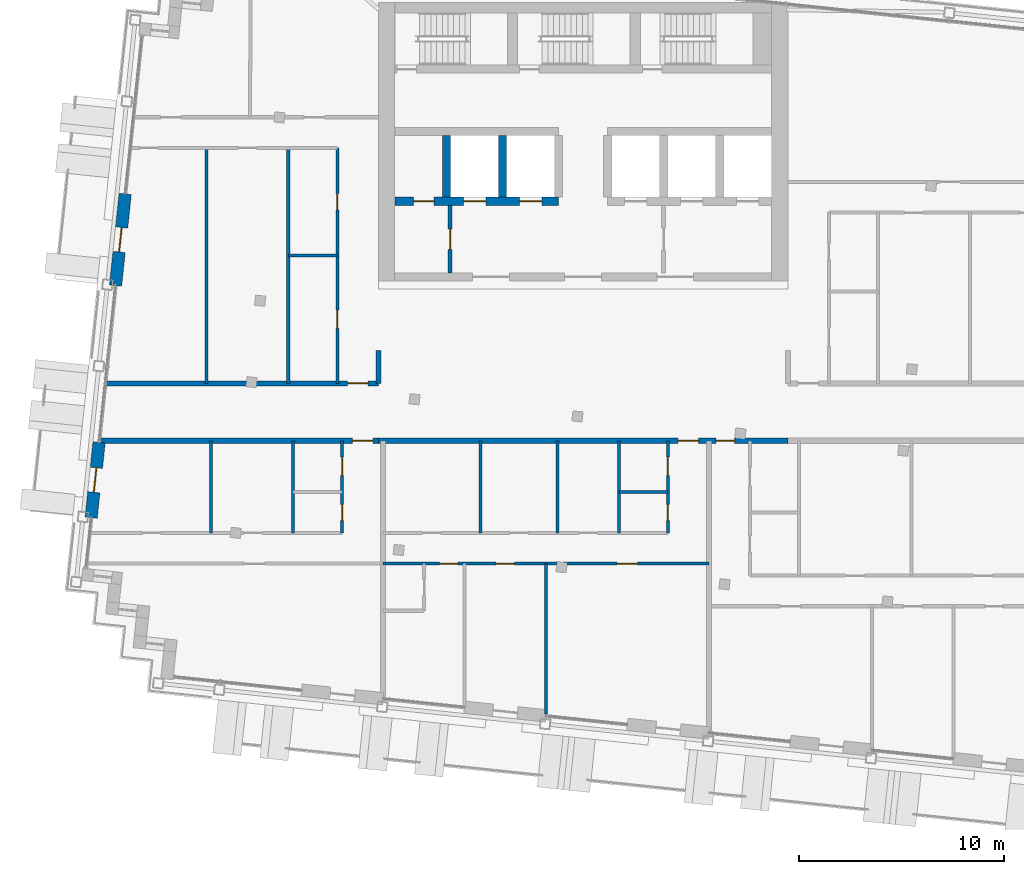
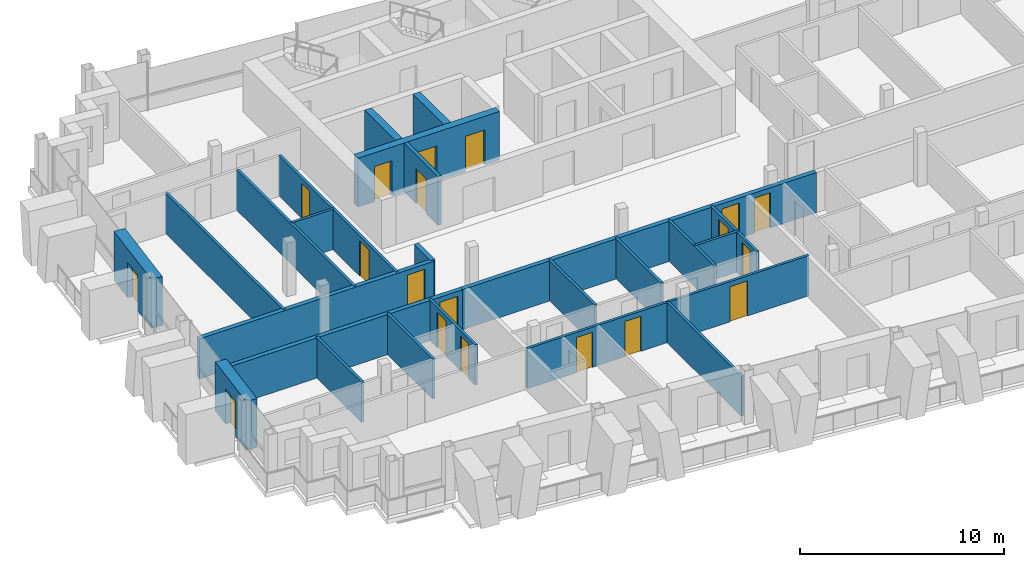
# One storey, part 9 of 16: 24 walls, 19 doors, 19 openings.
"""IFC4 building model written with IfcOpenShell, lengths in metres."""

from ifc_helpers import new_model, si_unit, direction, frame, frame_2d, origin, place, context, subcontext, project, spatial, rectangle, extrude, material, layer, layer_set, type_object, element, fill, save


model = new_model("IFC4")

# Units and contexts
model_context = context("Model", 3, precision=1e-05, world=origin(), true_north=direction((0.0, 1.0)))
body_context = subcontext(model_context, "Body", "Model", "MODEL_VIEW")
ifc_project = project(units=[si_unit("LENGTHUNIT", "METRE"), si_unit("AREAUNIT", "SQUARE_METRE"), si_unit("VOLUMEUNIT", "CUBIC_METRE"), si_unit("PLANEANGLEUNIT", "RADIAN"), si_unit("MASSUNIT", "GRAM", prefix="KILO")], contexts=[model_context])

# Site, building, storey
site_placement = place(None, origin())
site = spatial("IfcSite", under=ifc_project, at=site_placement, CompositionType="ELEMENT")
building_placement = place(site_placement, origin())
building = spatial("IfcBuilding", under=site, at=building_placement, Name="Vidyagriha Tower", CompositionType="ELEMENT")
storey_placement = place(building_placement, frame((0.0, 0.0, 272.300048828125)))
storey = spatial("IfcBuildingStorey", under=building, at=storey_placement, Name="L71", CompositionType="ELEMENT", Elevation=272.300048828125)

# Wall, opening, door
ifc_material_1 = material(Name="Precast concrete C40/50 with brick facing", Category="concrete")
ifc_layer_1 = layer(ifc_material_1, 0.60009765625)
ifc_layer_set_1 = layer_set([ifc_layer_1], Name="Precast concrete C40/50 with brick facing")
wall_type_1 = type_object("IfcWallType", Name="Brick-faced precast wall 600", PredefinedType="STANDARD", material=ifc_layer_set_1)
wall_1_placement = place(storey_placement, frame((-22.36279296875, 10.65673828125, 0.0), z_axis=(0.0, 0.0, 1.0), x_axis=(-0.104492739125, -0.994525649478, 0.0)))
wall_1 = element("IfcWall", 1, at=wall_1_placement, inside=storey, type_object=wall_type_1, Name="Brick door bay wall L71 R14.3", PredefinedType="STANDARD", context=body_context, shape_type="SweptSolid", body=[
    extrude(rectangle(XDim=4.5, YDim=0.60009765625, at=frame_2d((2.25, 0.0))), origin(), (0.0, 0.0, 1.0), 2.919921875),
])
opening_1_placement = place(wall_1_placement, frame((1.64990234375, 0.0, 0.0)))
opening_1 = element("IfcOpeningElement", 2, at=opening_1_placement, cuts=wall_1, Name="Opening D71-52", PredefinedType="OPENING", context=body_context, shape_type="SweptSolid", body=[
    extrude(rectangle(XDim=1.199951171875, YDim=2.10009765625, at=frame_2d((0.60009765625, 1.050048828125))), frame((0.0, 0.31005859375, 0.0), z_axis=(0.0, -1.0, 0.0), x_axis=(1.0, 0.0, 0.0)), (0.0, 0.0, 1.0), 0.6201171875),
])
ifc_material_2 = material(Name="Aluminium framed glazed sliding door", Category="aluminium")
door_type_1 = type_object("IfcDoorType", Name="Balcony sliding door 1200x2100", OperationType="NOTDEFINED", PredefinedType="DOOR", material=ifc_material_2)
door_1_placement = place(opening_1_placement, origin())
door_1 = element("IfcDoor", 3, at=door_1_placement, inside=storey, type_object=door_type_1, Name="Door D71-52", OperationType="SLIDING_TO_LEFT", OverallHeight=2.10009765625, OverallWidth=1.199951171875, PredefinedType="DOOR", context=body_context, shape_type="SweptSolid", body=[
    extrude(rectangle(XDim=1.199951171875, YDim=2.10009765625, at=frame_2d((0.60009765625, 1.050048828125))), frame((0.0, 0.02490234375, 0.0), z_axis=(0.0, -1.0, 0.0), x_axis=(1.0, 0.0, 0.0)), (0.0, 0.0, 1.0), 0.050048828125),
])
fill(opening_1, door_1)

wall_2_placement = place(storey_placement, frame((-23.637939453125, -1.476318359375, 0.0), z_axis=(0.0, 0.0, 1.0), x_axis=(-0.104513052986, -0.994523514933, 0.0)))
wall_2 = element("IfcWall", 4, at=wall_2_placement, inside=storey, type_object=wall_type_1, Name="Brick door bay wall L71 R14.6", PredefinedType="STANDARD", context=body_context, shape_type="SweptSolid", body=[
    extrude(rectangle(XDim=3.7001953125, YDim=0.60009765625, at=frame_2d((1.85009765625, 0.0))), origin(), (0.0, 0.0, 1.0), 2.919921875),
])
opening_2_placement = place(wall_2_placement, frame((1.25, 0.0, 0.0)))
opening_2 = element("IfcOpeningElement", 5, at=opening_2_placement, cuts=wall_2, Name="Opening D71-53", PredefinedType="OPENING", context=body_context, shape_type="SweptSolid", body=[
    extrude(rectangle(XDim=1.199951171875, YDim=2.10009765625, at=frame_2d((0.60009765625, 1.050048828125))), frame((0.0, 0.31005859375, 0.0), z_axis=(0.0, -1.0, 0.0), x_axis=(1.0, 0.0, 0.0)), (0.0, 0.0, 1.0), 0.6201171875),
])
door_2_placement = place(opening_2_placement, origin())
door_2 = element("IfcDoor", 6, at=door_2_placement, inside=storey, type_object=door_type_1, Name="Door D71-53", OperationType="SLIDING_TO_LEFT", OverallHeight=2.10009765625, OverallWidth=1.199951171875, PredefinedType="DOOR", context=body_context, shape_type="SweptSolid", body=[
    extrude(rectangle(XDim=1.199951171875, YDim=2.10009765625, at=frame_2d((0.60009765625, 1.050048828125))), frame((0.0, 0.02490234375, 0.0), z_axis=(0.0, -1.0, 0.0), x_axis=(1.0, 0.0, 0.0)), (0.0, 0.0, 1.0), 0.050048828125),
])
fill(opening_2, door_2)

# Wall, openings, doors
ifc_material_3 = material(Name="Concrete C60/75", Category="concrete")
ifc_layer_2 = layer(ifc_material_3, 0.39990234375)
ifc_layer_set_2 = layer_set([ifc_layer_2], Name="Concrete C60/75")
wall_type_2 = type_object("IfcWallType", Name="Core shear wall 400 mm", PredefinedType="SHEAR", material=ifc_layer_set_2)
wall_3_placement = place(storey_placement, frame((-9.199951171875, 10.300048828125, 0.0)))
wall_3 = element("IfcWall", 7, at=wall_3_placement, inside=storey, type_object=wall_type_2, Name="Core row N front wall", PredefinedType="SHEAR", context=body_context, shape_type="SweptSolid", body=[
    extrude(rectangle(XDim=8.0, YDim=0.39990234375, at=frame_2d((4.0, 0.0))), origin(), (0.0, 0.0, 1.0), 2.919921875),
])
opening_3_placement = place(wall_3_placement, frame((3.35009765625, 0.0, 0.0)))
opening_3 = element("IfcOpeningElement", 8, at=opening_3_placement, cuts=wall_3, Name="Opening LD71-01", PredefinedType="OPENING", context=body_context, shape_type="SweptSolid", body=[
    extrude(rectangle(XDim=1.10009765625, YDim=2.10009765625, at=frame_2d((0.550048828125, 1.050048828125))), frame((0.0, 0.2099609375, 0.0), z_axis=(0.0, -1.0, 0.0), x_axis=(1.0, 0.0, 0.0)), (0.0, 0.0, 1.0), 0.419921875),
])
opening_4_placement = place(wall_3_placement, frame((6.083251953125, 0.0, 0.0)))
opening_4 = element("IfcOpeningElement", 9, at=opening_4_placement, cuts=wall_3, Name="Opening LD71-02", PredefinedType="OPENING", context=body_context, shape_type="SweptSolid", body=[
    extrude(rectangle(XDim=1.10009765625, YDim=2.10009765625, at=frame_2d((0.550048828125, 1.050048828125))), frame((0.0, 0.2099609375, 0.0), z_axis=(0.0, -1.0, 0.0), x_axis=(1.0, 0.0, 0.0)), (0.0, 0.0, 1.0), 0.419921875),
])
opening_5_placement = place(wall_3_placement, frame((0.916748046875, 0.0, 0.0)))
opening_5 = element("IfcOpeningElement", 10, at=opening_5_placement, cuts=wall_3, Name="Opening D71-04", PredefinedType="OPENING", context=body_context, shape_type="SweptSolid", body=[
    extrude(rectangle(XDim=1.0, YDim=2.10009765625, at=frame_2d((0.5, 1.050048828125))), frame((0.0, 0.2099609375, 0.0), z_axis=(0.0, -1.0, 0.0), x_axis=(1.0, 0.0, 0.0)), (0.0, 0.0, 1.0), 0.419921875),
])
ifc_material_4 = material(Name="Hollow metal door leaf")
door_type_2 = type_object("IfcDoorType", Name="Core room door 1000 x 2100 mm EI 60", OperationType="NOTDEFINED", PredefinedType="DOOR", material=ifc_material_4)
door_3_placement = place(opening_5_placement, frame((1.0, 0.0, 0.0), z_axis=(0.0, 0.0, 1.0), x_axis=(-1.0, 0.0, 0.0)))
door_3 = element("IfcDoor", 11, at=door_3_placement, inside=storey, type_object=door_type_2, Name="Door Switchgear Room 71.14", OperationType="SINGLE_SWING_RIGHT", OverallHeight=2.10009765625, OverallWidth=1.0, PredefinedType="DOOR", context=body_context, shape_type="SweptSolid", body=[
    extrude(rectangle(XDim=1.0, YDim=2.10009765625, at=frame_2d((0.5, 1.050048828125))), frame((0.0, 0.02490234375, 0.0), z_axis=(0.0, -1.0, 0.0), x_axis=(1.0, 0.0, 0.0)), (0.0, 0.0, 1.0), 0.050048828125),
])
fill(opening_5, door_3)
ifc_material_5 = material(Name="Stainless steel sliding door panel", Category="steel")
door_type_3 = type_object("IfcDoorType", Name="Lift landing door 1100 x 2100 mm EI 90", OperationType="NOTDEFINED", PredefinedType="DOOR", material=ifc_material_5)
door_4_placement = place(opening_3_placement, origin())
door_4 = element("IfcDoor", 12, at=door_4_placement, inside=storey, type_object=door_type_3, Name="Landing door HR1 L71", OperationType="SLIDING_TO_LEFT", OverallHeight=2.10009765625, OverallWidth=1.10009765625, PredefinedType="DOOR", context=body_context, shape_type="SweptSolid", body=[
    extrude(rectangle(XDim=1.10009765625, YDim=2.10009765625, at=frame_2d((0.550048828125, 1.050048828125))), frame((0.0, 0.02490234375, 0.0), z_axis=(0.0, -1.0, 0.0), x_axis=(1.0, 0.0, 0.0)), (0.0, 0.0, 1.0), 0.050048828125),
])
fill(opening_3, door_4)
door_5_placement = place(opening_4_placement, origin())
door_5 = element("IfcDoor", 13, at=door_5_placement, inside=storey, type_object=door_type_3, Name="Landing door HR2 L71", OperationType="SLIDING_TO_LEFT", OverallHeight=2.10009765625, OverallWidth=1.10009765625, PredefinedType="DOOR", context=body_context, shape_type="SweptSolid", body=[
    extrude(rectangle(XDim=1.10009765625, YDim=2.10009765625, at=frame_2d((0.550048828125, 1.050048828125))), frame((0.0, 0.02490234375, 0.0), z_axis=(0.0, -1.0, 0.0), x_axis=(1.0, 0.0, 0.0)), (0.0, 0.0, 1.0), 0.050048828125),
])
fill(opening_4, door_5)

# Walls
for number, where, z_axis, x_axis, name in (
    (14, (-6.666748046875, 10.5, 0.0), (0.0, 0.0, 1.0), (0.0, 1.0, 0.0), "Core bay wall N1"),
    (15, (-3.933349609375, 10.5, 0.0), (0.0, 0.0, 1.0), (0.0, 1.0, 0.0), "Core bay wall N2"),
):
    element("IfcWall", number, at=place(storey_placement, frame(where, z_axis=z_axis, x_axis=x_axis)), inside=storey, type_object=wall_type_2, Name=name, PredefinedType="SHEAR", context=body_context, shape_type="SweptSolid", body=[
        extrude(rectangle(XDim=3.0, YDim=0.39990234375, at=frame_2d((1.5, 0.0))), origin(), (0.0, 0.0, 1.0), 2.919921875),
    ])

# Wall, opening, door
ifc_material_6 = material(Name="Fired clay brick masonry", Category="masonry")
ifc_layer_3 = layer(ifc_material_6, 0.25)
ifc_layer_set_3 = layer_set([ifc_layer_3], Name="Fired clay brick masonry")
wall_type_3 = type_object("IfcWallType", Name="Fired clay brick corridor wall 250", PredefinedType="PARTITIONING", material=ifc_layer_set_3)
wall_4_placement = place(storey_placement, frame((-10.0, -1.39990234375, 0.0), z_axis=(0.0, 0.0, 1.0), x_axis=(-1.0, 0.0, 0.0)))
wall_4 = element("IfcWall", 16, at=wall_4_placement, inside=storey, type_object=wall_type_3, Name="Wall all-L71-w056", PredefinedType="PARTITIONING", context=body_context, shape_type="SweptSolid", body=[
    extrude(rectangle(XDim=13.5595703125, YDim=0.25, at=frame_2d((6.77978515625, 0.0))), origin(), (0.0, 0.0, 1.0), 2.39990234375),
])
opening_6_placement = place(wall_4_placement, frame((0.27001953125, 0.0, 0.0)))
opening_6 = element("IfcOpeningElement", 17, at=opening_6_placement, cuts=wall_4, Name="Opening D71-15", PredefinedType="OPENING", context=body_context, shape_type="SweptSolid", body=[
    extrude(rectangle(XDim=1.0, YDim=2.10009765625, at=frame_2d((0.5, 1.050048828125))), frame((0.0, 0.135009765625, 0.0), z_axis=(0.0, -1.0, 0.0), x_axis=(1.0, 0.0, 0.0)), (0.0, 0.0, 1.0), 0.27001953125),
])
ifc_material_7 = material(Name="Fire-rated timber door leaf EI 60", Category="wood")
door_type_4 = type_object("IfcDoorType", Name="Flat entrance fire door 1000x2100", OperationType="NOTDEFINED", PredefinedType="DOOR", material=ifc_material_7)
door_6_placement = place(opening_6_placement, origin())
door_6 = element("IfcDoor", 18, at=door_6_placement, inside=storey, type_object=door_type_4, Name="Door D71-15", OperationType="SINGLE_SWING_LEFT", OverallHeight=2.10009765625, OverallWidth=1.0, PredefinedType="DOOR", context=body_context, shape_type="SweptSolid", body=[
    extrude(rectangle(XDim=1.0, YDim=2.10009765625, at=frame_2d((0.5, 1.050048828125))), frame((0.0, 0.02490234375, 0.0), z_axis=(0.0, -1.0, 0.0), x_axis=(1.0, 0.0, 0.0)), (0.0, 0.0, 1.0), 0.050048828125),
])
fill(opening_6, door_6)

wall_5_placement = place(storey_placement, frame((-23.26513671875, 1.39990234375, 0.0)))
wall_5 = element("IfcWall", 19, at=wall_5_placement, inside=storey, type_object=wall_type_3, Name="Wall all-L71-w073", PredefinedType="PARTITIONING", context=body_context, shape_type="SweptSolid", body=[
    extrude(rectangle(XDim=13.26513671875, YDim=0.25, at=frame_2d((6.632568359375, 0.0))), origin(), (0.0, 0.0, 1.0), 2.39990234375),
])
opening_7_placement = place(wall_5_placement, frame((11.76513671875, 0.0, 0.0)))
opening_7 = element("IfcOpeningElement", 20, at=opening_7_placement, cuts=wall_5, Name="Opening D71-42", PredefinedType="OPENING", context=body_context, shape_type="SweptSolid", body=[
    extrude(rectangle(XDim=1.0, YDim=2.10009765625, at=frame_2d((0.5, 1.050048828125))), frame((0.0, 0.135009765625, 0.0), z_axis=(0.0, -1.0, 0.0), x_axis=(1.0, 0.0, 0.0)), (0.0, 0.0, 1.0), 0.27001953125),
])
door_7_placement = place(opening_7_placement, origin())
door_7 = element("IfcDoor", 21, at=door_7_placement, inside=storey, type_object=door_type_4, Name="Door D71-42", OperationType="SINGLE_SWING_RIGHT", OverallHeight=2.10009765625, OverallWidth=1.0, PredefinedType="DOOR", context=body_context, shape_type="SweptSolid", body=[
    extrude(rectangle(XDim=1.0, YDim=2.10009765625, at=frame_2d((0.5, 1.050048828125))), frame((0.0, 0.02490234375, 0.0), z_axis=(0.0, -1.0, 0.0), x_axis=(1.0, 0.0, 0.0)), (0.0, 0.0, 1.0), 0.050048828125),
])
fill(opening_7, door_7)

# Wall, openings, doors
wall_6_placement = place(storey_placement, frame((10.0, -1.39990234375, 0.0), z_axis=(0.0, 0.0, 1.0), x_axis=(-1.0, 0.0, 0.0)))
wall_6 = element("IfcWall", 22, at=wall_6_placement, inside=storey, type_object=wall_type_3, Name="Wall all-L71-w094", PredefinedType="PARTITIONING", context=body_context, shape_type="SweptSolid", body=[
    extrude(rectangle(XDim=20.0, YDim=0.25, at=frame_2d((10.0, 0.0))), origin(), (0.0, 0.0, 1.0), 2.39990234375),
])
opening_8_placement = place(wall_6_placement, frame((4.35791015625, 0.0, 0.0)))
opening_8 = element("IfcOpeningElement", 23, at=opening_8_placement, cuts=wall_6, Name="Opening D71-25", PredefinedType="OPENING", context=body_context, shape_type="SweptSolid", body=[
    extrude(rectangle(XDim=1.0, YDim=2.10009765625, at=frame_2d((0.5, 1.050048828125))), frame((0.0, 0.135009765625, 0.0), z_axis=(0.0, -1.0, 0.0), x_axis=(1.0, 0.0, 0.0)), (0.0, 0.0, 1.0), 0.27001953125),
])
opening_9_placement = place(wall_6_placement, frame((2.614013671875, 0.0, 0.0)))
opening_9 = element("IfcOpeningElement", 24, at=opening_9_placement, cuts=wall_6, Name="Opening D71-35", PredefinedType="OPENING", context=body_context, shape_type="SweptSolid", body=[
    extrude(rectangle(XDim=0.89990234375, YDim=2.10009765625, at=frame_2d((0.449951171875, 1.050048828125))), frame((0.0, 0.135009765625, 0.0), z_axis=(0.0, -1.0, 0.0), x_axis=(1.0, 0.0, 0.0)), (0.0, 0.0, 1.0), 0.27001953125),
])
door_8_placement = place(opening_8_placement, origin())
door_8 = element("IfcDoor", 25, at=door_8_placement, inside=storey, type_object=door_type_4, Name="Door D71-25", OperationType="SINGLE_SWING_LEFT", OverallHeight=2.10009765625, OverallWidth=1.0, PredefinedType="DOOR", context=body_context, shape_type="SweptSolid", body=[
    extrude(rectangle(XDim=1.0, YDim=2.10009765625, at=frame_2d((0.5, 1.050048828125))), frame((0.0, 0.02490234375, 0.0), z_axis=(0.0, -1.0, 0.0), x_axis=(1.0, 0.0, 0.0)), (0.0, 0.0, 1.0), 0.050048828125),
])
fill(opening_8, door_8)
ifc_material_8 = material(Name="Fire-rated timber door leaf EI 60", Category="wood")
door_type_5 = type_object("IfcDoorType", Name="Flat entrance fire door 900x2100", OperationType="NOTDEFINED", PredefinedType="DOOR", material=ifc_material_8)
door_9_placement = place(opening_9_placement, origin())
door_9 = element("IfcDoor", 26, at=door_9_placement, inside=storey, type_object=door_type_5, Name="Door D71-35", OperationType="SINGLE_SWING_RIGHT", OverallHeight=2.10009765625, OverallWidth=0.89990234375, PredefinedType="DOOR", context=body_context, shape_type="SweptSolid", body=[
    extrude(rectangle(XDim=0.89990234375, YDim=2.10009765625, at=frame_2d((0.449951171875, 1.050048828125))), frame((0.0, 0.02490234375, 0.0), z_axis=(0.0, -1.0, 0.0), x_axis=(1.0, 0.0, 0.0)), (0.0, 0.0, 1.0), 0.050048828125),
])
fill(opening_9, door_9)

# Walls
wall_7_placement = place(storey_placement, frame((-10.0, 3.0, 0.0), z_axis=(0.0, 0.0, 1.0), x_axis=(0.0, -1.0, 0.0)))
element("IfcWall", 27, at=wall_7_placement, inside=storey, type_object=wall_type_3, Name="Wall all-L71-w095", PredefinedType="PARTITIONING", context=body_context, shape_type="SweptSolid", body=[
    extrude(rectangle(XDim=1.60009765625, YDim=0.25, at=frame_2d((0.800048828125, 0.0))), origin(), (0.0, 0.0, 1.0), 2.39990234375),
])
ifc_material_9 = material(Name="Gypsum board partition")
ifc_layer_4 = layer(ifc_material_9, 0.14990234375)
ifc_layer_set_4 = layer_set([ifc_layer_4], Name="Gypsum board partition")
wall_type_4 = type_object("IfcWallType", Name="Gypsum board partition 150", PredefinedType="PARTITIONING", material=ifc_layer_set_4)
for number, where, z_axis, x_axis, name in (
    (28, (-14.169921875, -5.89990234375, 0.0), (0.0, 0.0, 1.0), (0.0, 1.0, 0.0), "Wall all-L71-w005"),
    (29, (-18.169921875, -5.89990234375, 0.0), (0.0, 0.0, 1.0), (0.0, 1.0, 0.0), "Wall all-L71-w006"),
):
    element("IfcWall", number, at=place(storey_placement, frame(where, z_axis=z_axis, x_axis=x_axis)), inside=storey, type_object=wall_type_4, Name=name, PredefinedType="PARTITIONING", context=body_context, shape_type="SweptSolid", body=[
        extrude(rectangle(XDim=4.5, YDim=0.14990234375, at=frame_2d((2.25, 0.0))), origin(), (0.0, 0.0, 1.0), 2.39990234375),
    ])
wall_8_placement = place(storey_placement, frame((4.14208984375, -3.89990234375, 0.0), z_axis=(0.0, 0.0, 1.0), x_axis=(-1.0, 0.0, 0.0)))
element("IfcWall", 30, at=wall_8_placement, inside=storey, type_object=wall_type_4, Name="Wall all-L71-w016", PredefinedType="PARTITIONING", context=body_context, shape_type="SweptSolid", body=[
    extrude(rectangle(XDim=2.400146484375, YDim=0.14990234375, at=frame_2d((1.2001953125, 0.0))), origin(), (0.0, 0.0, 1.0), 2.39990234375),
])
for number, where, z_axis, x_axis, name in (
    (31, (1.741943359375, -5.89990234375, 0.0), (0.0, 0.0, 1.0), (0.0, 1.0, 0.0), "Wall all-L71-w017"),
    (32, (-1.258056640625, -5.89990234375, 0.0), (0.0, 0.0, 1.0), (0.0, 1.0, 0.0), "Wall all-L71-w018"),
    (33, (-5.008056640625, -5.89990234375, 0.0), (0.0, 0.0, 1.0), (0.0, 1.0, 0.0), "Wall all-L71-w019"),
):
    element("IfcWall", number, at=place(storey_placement, frame(where, z_axis=z_axis, x_axis=x_axis)), inside=storey, type_object=wall_type_4, Name=name, PredefinedType="PARTITIONING", context=body_context, shape_type="SweptSolid", body=[
        extrude(rectangle(XDim=4.5, YDim=0.14990234375, at=frame_2d((2.25, 0.0))), origin(), (0.0, 0.0, 1.0), 2.39990234375),
    ])

# Wall, openings, doors
wall_9_placement = place(storey_placement, frame((6.14208984375, -7.39990234375, 0.0), z_axis=(0.0, 0.0, 1.0), x_axis=(-1.0, 0.0, 0.0)))
wall_9 = element("IfcWall", 34, at=wall_9_placement, inside=storey, type_object=wall_type_4, Name="Wall all-L71-w024", PredefinedType="PARTITIONING", context=body_context, shape_type="SweptSolid", body=[
    extrude(rectangle(XDim=15.912109375, YDim=0.14990234375, at=frame_2d((7.9560546875, 0.0))), origin(), (0.0, 0.0, 1.0), 2.39990234375),
])
opening_10_placement = place(wall_9_placement, frame((12.251953125, 0.0, 0.0)))
opening_10 = element("IfcOpeningElement", 35, at=opening_10_placement, cuts=wall_9, Name="Opening D71-21", PredefinedType="OPENING", context=body_context, shape_type="SweptSolid", body=[
    extrude(rectangle(XDim=0.89990234375, YDim=2.10009765625, at=frame_2d((0.449951171875, 1.050048828125))), frame((0.0, 0.0849609375, 0.0), z_axis=(0.0, -1.0, 0.0), x_axis=(1.0, 0.0, 0.0)), (0.0, 0.0, 1.0), 0.169921875),
])
opening_11_placement = place(wall_9_placement, frame((9.495361328125, 0.0, 0.0)))
opening_11 = element("IfcOpeningElement", 36, at=opening_11_placement, cuts=wall_9, Name="Opening D71-22", PredefinedType="OPENING", context=body_context, shape_type="SweptSolid", body=[
    extrude(rectangle(XDim=0.89990234375, YDim=2.10009765625, at=frame_2d((0.449951171875, 1.050048828125))), frame((0.0, 0.0849609375, 0.0), z_axis=(0.0, -1.0, 0.0), x_axis=(1.0, 0.0, 0.0)), (0.0, 0.0, 1.0), 0.169921875),
])
opening_12_placement = place(wall_9_placement, frame((3.478271484375, 0.0, 0.0)))
opening_12 = element("IfcOpeningElement", 37, at=opening_12_placement, cuts=wall_9, Name="Opening D71-23", PredefinedType="OPENING", context=body_context, shape_type="SweptSolid", body=[
    extrude(rectangle(XDim=1.0, YDim=2.10009765625, at=frame_2d((0.5, 1.050048828125))), frame((0.0, 0.0849609375, 0.0), z_axis=(0.0, -1.0, 0.0), x_axis=(1.0, 0.0, 0.0)), (0.0, 0.0, 1.0), 0.169921875),
])
ifc_material_10 = material(Name="Timber door leaf", Category="wood")
door_type_6 = type_object("IfcDoorType", Name="Room door 1000x2100", OperationType="NOTDEFINED", PredefinedType="DOOR", material=ifc_material_10)
door_10_placement = place(opening_12_placement, origin())
door_10 = element("IfcDoor", 38, at=door_10_placement, inside=storey, type_object=door_type_6, Name="Door D71-23", OperationType="SINGLE_SWING_RIGHT", OverallHeight=2.10009765625, OverallWidth=1.0, PredefinedType="DOOR", context=body_context, shape_type="SweptSolid", body=[
    extrude(rectangle(XDim=1.0, YDim=2.10009765625, at=frame_2d((0.5, 1.050048828125))), frame((0.0, 0.02490234375, 0.0), z_axis=(0.0, -1.0, 0.0), x_axis=(1.0, 0.0, 0.0)), (0.0, 0.0, 1.0), 0.050048828125),
])
fill(opening_12, door_10)
ifc_material_11 = material(Name="Timber door leaf", Category="wood")
door_type_7 = type_object("IfcDoorType", Name="Room door 900x2100", OperationType="NOTDEFINED", PredefinedType="DOOR", material=ifc_material_11)
door_11_placement = place(opening_10_placement, origin())
door_11 = element("IfcDoor", 39, at=door_11_placement, inside=storey, type_object=door_type_7, Name="Door D71-21", OperationType="SINGLE_SWING_LEFT", OverallHeight=2.10009765625, OverallWidth=0.89990234375, PredefinedType="DOOR", context=body_context, shape_type="SweptSolid", body=[
    extrude(rectangle(XDim=0.89990234375, YDim=2.10009765625, at=frame_2d((0.449951171875, 1.050048828125))), frame((0.0, 0.02490234375, 0.0), z_axis=(0.0, -1.0, 0.0), x_axis=(1.0, 0.0, 0.0)), (0.0, 0.0, 1.0), 0.050048828125),
])
fill(opening_10, door_11)
door_12_placement = place(opening_11_placement, origin())
door_12 = element("IfcDoor", 40, at=door_12_placement, inside=storey, type_object=door_type_7, Name="Door D71-22", OperationType="SINGLE_SWING_RIGHT", OverallHeight=2.10009765625, OverallWidth=0.89990234375, PredefinedType="DOOR", context=body_context, shape_type="SweptSolid", body=[
    extrude(rectangle(XDim=0.89990234375, YDim=2.10009765625, at=frame_2d((0.449951171875, 1.050048828125))), frame((0.0, 0.02490234375, 0.0), z_axis=(0.0, -1.0, 0.0), x_axis=(1.0, 0.0, 0.0)), (0.0, 0.0, 1.0), 0.050048828125),
])
fill(opening_11, door_12)

# Walls
wall_10_placement = place(storey_placement, frame((-1.814208984375, -7.39990234375, 0.0), z_axis=(0.0, 0.0, 1.0), x_axis=(0.0, -1.0, 0.0)))
element("IfcWall", 41, at=wall_10_placement, inside=storey, type_object=wall_type_4, Name="Wall all-L71-w029", PredefinedType="PARTITIONING", context=body_context, shape_type="SweptSolid", body=[
    extrude(rectangle(XDim=7.340576171875, YDim=0.14990234375, at=frame_2d((3.67041015625, 0.0))), origin(), (0.0, 0.0, 1.0), 2.39990234375),
])
wall_11_placement = place(storey_placement, frame((-14.39990234375, 7.64990234375, 0.0)))
element("IfcWall", 42, at=wall_11_placement, inside=storey, type_object=wall_type_4, Name="Wall all-L71-w062", PredefinedType="PARTITIONING", context=body_context, shape_type="SweptSolid", body=[
    extrude(rectangle(XDim=2.39990234375, YDim=0.14990234375, at=frame_2d((1.199951171875, 0.0))), origin(), (0.0, 0.0, 1.0), 2.39990234375),
])
for number, where, z_axis, x_axis, name in (
    (43, (-14.39990234375, 1.39990234375, 0.0), (0.0, 0.0, 1.0), (0.0, 1.0, 0.0), "Wall all-L71-w063"),
    (44, (-18.39990234375, 1.39990234375, 0.0), (0.0, 0.0, 1.0), (0.0, 1.0, 0.0), "Wall all-L71-w064"),
):
    element("IfcWall", number, at=place(storey_placement, frame(where, z_axis=z_axis, x_axis=x_axis)), inside=storey, type_object=wall_type_4, Name=name, PredefinedType="PARTITIONING", context=body_context, shape_type="SweptSolid", body=[
        extrude(rectangle(XDim=11.5, YDim=0.14990234375, at=frame_2d((5.75, 0.0))), origin(), (0.0, 0.0, 1.0), 2.39990234375),
    ])

# Wall, openings, doors
ifc_material_12 = material(Name="Moisture resistant gypsum board partition")
ifc_layer_5 = layer(ifc_material_12, 0.14990234375)
ifc_layer_set_5 = layer_set([ifc_layer_5], Name="Moisture resistant gypsum board partition")
wall_type_5 = type_object("IfcWallType", Name="Gypsum board wet-area partition 150", PredefinedType="PARTITIONING", material=ifc_layer_set_5)
wall_12_placement = place(storey_placement, frame((-11.77001953125, -5.89990234375, 0.0), z_axis=(0.0, 0.0, 1.0), x_axis=(0.0, 1.0, 0.0)))
wall_12 = element("IfcWall", 45, at=wall_12_placement, inside=storey, type_object=wall_type_5, Name="Wall all-L71-w001", PredefinedType="PARTITIONING", context=body_context, shape_type="SweptSolid", body=[
    extrude(rectangle(XDim=4.5, YDim=0.14990234375, at=frame_2d((2.25, 0.0))), origin(), (0.0, 0.0, 1.0), 2.39990234375),
])
opening_13_placement = place(wall_12_placement, frame((2.800048828125, 0.0, 0.0)))
opening_13 = element("IfcOpeningElement", 46, at=opening_13_placement, cuts=wall_12, Name="Opening D71-10", PredefinedType="OPENING", context=body_context, shape_type="SweptSolid", body=[
    extrude(rectangle(XDim=0.89990234375, YDim=2.10009765625, at=frame_2d((0.449951171875, 1.050048828125))), frame((0.0, 0.0849609375, 0.0), z_axis=(0.0, -1.0, 0.0), x_axis=(1.0, 0.0, 0.0)), (0.0, 0.0, 1.0), 0.169921875),
])
opening_14_placement = place(wall_12_placement, frame((0.60009765625, 0.0, 0.0)))
opening_14 = element("IfcOpeningElement", 47, at=opening_14_placement, cuts=wall_12, Name="Opening D71-11", PredefinedType="OPENING", context=body_context, shape_type="SweptSolid", body=[
    extrude(rectangle(XDim=0.800048828125, YDim=2.10009765625, at=frame_2d((0.39990234375, 1.050048828125))), frame((0.0, 0.0849609375, 0.0), z_axis=(0.0, -1.0, 0.0), x_axis=(1.0, 0.0, 0.0)), (0.0, 0.0, 1.0), 0.169921875),
])
ifc_material_13 = material(Name="Timber door leaf", Category="wood")
door_type_8 = type_object("IfcDoorType", Name="Bathroom door 800x2100", OperationType="NOTDEFINED", PredefinedType="DOOR", material=ifc_material_13)
door_13_placement = place(opening_14_placement, origin())
door_13 = element("IfcDoor", 48, at=door_13_placement, inside=storey, type_object=door_type_8, Name="Door D71-11", OperationType="SINGLE_SWING_LEFT", OverallHeight=2.10009765625, OverallWidth=0.800048828125, PredefinedType="DOOR", context=body_context, shape_type="SweptSolid", body=[
    extrude(rectangle(XDim=0.800048828125, YDim=2.10009765625, at=frame_2d((0.39990234375, 1.050048828125))), frame((0.0, 0.02490234375, 0.0), z_axis=(0.0, -1.0, 0.0), x_axis=(1.0, 0.0, 0.0)), (0.0, 0.0, 1.0), 0.050048828125),
])
fill(opening_14, door_13)
ifc_material_14 = material(Name="Timber door leaf", Category="wood")
door_type_9 = type_object("IfcDoorType", Name="Kitchen door 900x2100", OperationType="NOTDEFINED", PredefinedType="DOOR", material=ifc_material_14)
door_14_placement = place(opening_13_placement, origin())
door_14 = element("IfcDoor", 49, at=door_14_placement, inside=storey, type_object=door_type_9, Name="Door D71-10", OperationType="SINGLE_SWING_RIGHT", OverallHeight=2.10009765625, OverallWidth=0.89990234375, PredefinedType="DOOR", context=body_context, shape_type="SweptSolid", body=[
    extrude(rectangle(XDim=0.89990234375, YDim=2.10009765625, at=frame_2d((0.449951171875, 1.050048828125))), frame((0.0, 0.02490234375, 0.0), z_axis=(0.0, -1.0, 0.0), x_axis=(1.0, 0.0, 0.0)), (0.0, 0.0, 1.0), 0.050048828125),
])
fill(opening_13, door_14)

wall_13_placement = place(storey_placement, frame((4.14208984375, -5.89990234375, 0.0), z_axis=(0.0, 0.0, 1.0), x_axis=(0.0, 1.0, 0.0)))
wall_13 = element("IfcWall", 50, at=wall_13_placement, inside=storey, type_object=wall_type_5, Name="Wall all-L71-w013", PredefinedType="PARTITIONING", context=body_context, shape_type="SweptSolid", body=[
    extrude(rectangle(XDim=4.5, YDim=0.14990234375, at=frame_2d((2.25, 0.0))), origin(), (0.0, 0.0, 1.0), 2.39990234375),
])
opening_15_placement = place(wall_13_placement, frame((2.800048828125, 0.0, 0.0)))
opening_15 = element("IfcOpeningElement", 51, at=opening_15_placement, cuts=wall_13, Name="Opening D71-16", PredefinedType="OPENING", context=body_context, shape_type="SweptSolid", body=[
    extrude(rectangle(XDim=0.89990234375, YDim=2.10009765625, at=frame_2d((0.449951171875, 1.050048828125))), frame((0.0, 0.0849609375, 0.0), z_axis=(0.0, -1.0, 0.0), x_axis=(1.0, 0.0, 0.0)), (0.0, 0.0, 1.0), 0.169921875),
])
opening_16_placement = place(wall_13_placement, frame((0.60009765625, 0.0, 0.0)))
opening_16 = element("IfcOpeningElement", 52, at=opening_16_placement, cuts=wall_13, Name="Opening D71-17", PredefinedType="OPENING", context=body_context, shape_type="SweptSolid", body=[
    extrude(rectangle(XDim=0.800048828125, YDim=2.10009765625, at=frame_2d((0.39990234375, 1.050048828125))), frame((0.0, 0.0849609375, 0.0), z_axis=(0.0, -1.0, 0.0), x_axis=(1.0, 0.0, 0.0)), (0.0, 0.0, 1.0), 0.169921875),
])
door_15_placement = place(opening_16_placement, origin())
door_15 = element("IfcDoor", 53, at=door_15_placement, inside=storey, type_object=door_type_8, Name="Door D71-17", OperationType="SINGLE_SWING_LEFT", OverallHeight=2.10009765625, OverallWidth=0.800048828125, PredefinedType="DOOR", context=body_context, shape_type="SweptSolid", body=[
    extrude(rectangle(XDim=0.800048828125, YDim=2.10009765625, at=frame_2d((0.39990234375, 1.050048828125))), frame((0.0, 0.02490234375, 0.0), z_axis=(0.0, -1.0, 0.0), x_axis=(1.0, 0.0, 0.0)), (0.0, 0.0, 1.0), 0.050048828125),
])
fill(opening_16, door_15)
door_16_placement = place(opening_15_placement, origin())
door_16 = element("IfcDoor", 54, at=door_16_placement, inside=storey, type_object=door_type_9, Name="Door D71-16", OperationType="SINGLE_SWING_RIGHT", OverallHeight=2.10009765625, OverallWidth=0.89990234375, PredefinedType="DOOR", context=body_context, shape_type="SweptSolid", body=[
    extrude(rectangle(XDim=0.89990234375, YDim=2.10009765625, at=frame_2d((0.449951171875, 1.050048828125))), frame((0.0, 0.02490234375, 0.0), z_axis=(0.0, -1.0, 0.0), x_axis=(1.0, 0.0, 0.0)), (0.0, 0.0, 1.0), 0.050048828125),
])
fill(opening_15, door_16)

wall_14_placement = place(storey_placement, frame((-12.0, 1.39990234375, 0.0), z_axis=(0.0, 0.0, 1.0), x_axis=(0.0, 1.0, 0.0)))
wall_14 = element("IfcWall", 55, at=wall_14_placement, inside=storey, type_object=wall_type_5, Name="Wall all-L71-w059", PredefinedType="PARTITIONING", context=body_context, shape_type="SweptSolid", body=[
    extrude(rectangle(XDim=11.5, YDim=0.14990234375, at=frame_2d((5.75, 0.0))), origin(), (0.0, 0.0, 1.0), 2.39990234375),
])
opening_17_placement = place(wall_14_placement, frame((2.675048828125, 0.0, 0.0)))
opening_17 = element("IfcOpeningElement", 56, at=opening_17_placement, cuts=wall_14, Name="Opening D71-36", PredefinedType="OPENING", context=body_context, shape_type="SweptSolid", body=[
    extrude(rectangle(XDim=0.89990234375, YDim=2.10009765625, at=frame_2d((0.449951171875, 1.050048828125))), frame((0.0, 0.0849609375, 0.0), z_axis=(0.0, -1.0, 0.0), x_axis=(1.0, 0.0, 0.0)), (0.0, 0.0, 1.0), 0.169921875),
])
opening_18_placement = place(wall_14_placement, frame((8.47509765625, 0.0, 0.0)))
opening_18 = element("IfcOpeningElement", 57, at=opening_18_placement, cuts=wall_14, Name="Opening D71-37", PredefinedType="OPENING", context=body_context, shape_type="SweptSolid", body=[
    extrude(rectangle(XDim=0.800048828125, YDim=2.10009765625, at=frame_2d((0.39990234375, 1.050048828125))), frame((0.0, 0.0849609375, 0.0), z_axis=(0.0, -1.0, 0.0), x_axis=(1.0, 0.0, 0.0)), (0.0, 0.0, 1.0), 0.169921875),
])
door_17_placement = place(opening_18_placement, origin())
door_17 = element("IfcDoor", 58, at=door_17_placement, inside=storey, type_object=door_type_8, Name="Door D71-37", OperationType="SINGLE_SWING_RIGHT", OverallHeight=2.10009765625, OverallWidth=0.800048828125, PredefinedType="DOOR", context=body_context, shape_type="SweptSolid", body=[
    extrude(rectangle(XDim=0.800048828125, YDim=2.10009765625, at=frame_2d((0.39990234375, 1.050048828125))), frame((0.0, 0.02490234375, 0.0), z_axis=(0.0, -1.0, 0.0), x_axis=(1.0, 0.0, 0.0)), (0.0, 0.0, 1.0), 0.050048828125),
])
fill(opening_18, door_17)
door_18_placement = place(opening_17_placement, origin())
door_18 = element("IfcDoor", 59, at=door_18_placement, inside=storey, type_object=door_type_9, Name="Door D71-36", OperationType="SINGLE_SWING_RIGHT", OverallHeight=2.10009765625, OverallWidth=0.89990234375, PredefinedType="DOOR", context=body_context, shape_type="SweptSolid", body=[
    extrude(rectangle(XDim=0.89990234375, YDim=2.10009765625, at=frame_2d((0.449951171875, 1.050048828125))), frame((0.0, 0.02490234375, 0.0), z_axis=(0.0, -1.0, 0.0), x_axis=(1.0, 0.0, 0.0)), (0.0, 0.0, 1.0), 0.050048828125),
])
fill(opening_17, door_18)

# Wall, opening, door
ifc_material_15 = material(Name="Blockwork 15 MPa", Category="masonry")
ifc_layer_6 = layer(ifc_material_15, 0.199951171875)
ifc_layer_set_6 = layer_set([ifc_layer_6], Name="Blockwork 15 MPa")
wall_type_6 = type_object("IfcWallType", Name="Service room partition 200 mm", PredefinedType="PARTITIONING", material=ifc_layer_set_6)
wall_15_placement = place(storey_placement, frame((-6.5, 6.800048828125, 0.0), z_axis=(0.0, 0.0, 1.0), x_axis=(0.0, 1.0, 0.0)))
wall_15 = element("IfcWall", 60, at=wall_15_placement, inside=storey, type_object=wall_type_6, Name="Core room partition W", PredefinedType="PARTITIONING", context=body_context, shape_type="SweptSolid", body=[
    extrude(rectangle(XDim=3.300048828125, YDim=0.199951171875, at=frame_2d((1.64990234375, 0.0))), origin(), (0.0, 0.0, 1.0), 2.919921875),
])
opening_19_placement = place(wall_15_placement, frame((1.14990234375, 0.0, 0.0)))
opening_19 = element("IfcOpeningElement", 61, at=opening_19_placement, cuts=wall_15, Name="Opening D71-09", PredefinedType="OPENING", context=body_context, shape_type="SweptSolid", body=[
    extrude(rectangle(XDim=1.0, YDim=2.10009765625, at=frame_2d((0.5, 1.050048828125))), frame((0.0, 0.10986328125, 0.0), z_axis=(0.0, -1.0, 0.0), x_axis=(1.0, 0.0, 0.0)), (0.0, 0.0, 1.0), 0.219970703125),
])
door_19_placement = place(opening_19_placement, origin())
door_19 = element("IfcDoor", 62, at=door_19_placement, inside=storey, type_object=door_type_2, Name="Door Electrical Room 71.T1", OperationType="SINGLE_SWING_RIGHT", OverallHeight=2.10009765625, OverallWidth=1.0, PredefinedType="DOOR", context=body_context, shape_type="SweptSolid", body=[
    extrude(rectangle(XDim=1.0, YDim=2.10009765625, at=frame_2d((0.5, 1.050048828125))), frame((0.0, 0.02490234375, 0.0), z_axis=(0.0, -1.0, 0.0), x_axis=(1.0, 0.0, 0.0)), (0.0, 0.0, 1.0), 0.050048828125),
])
fill(opening_19, door_19)

save(model, "model.ifc")
